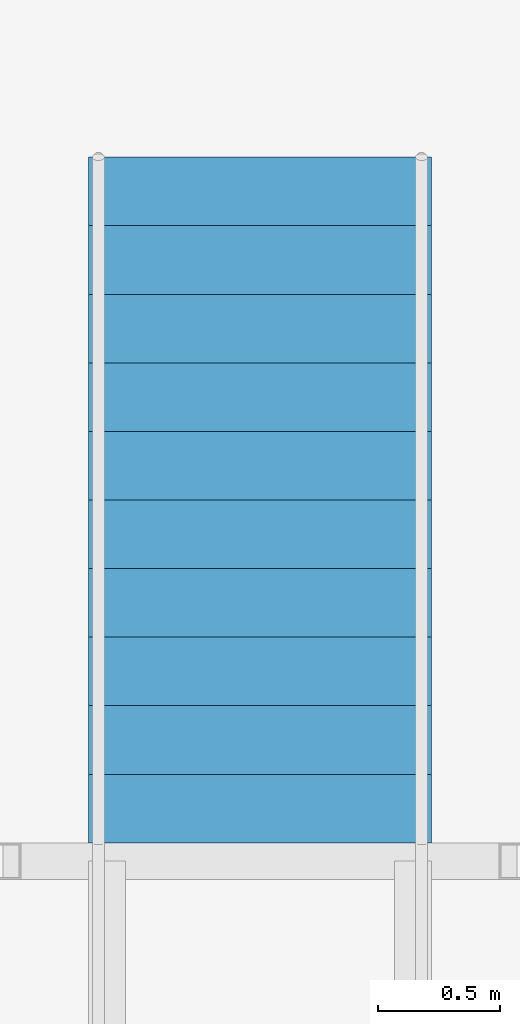
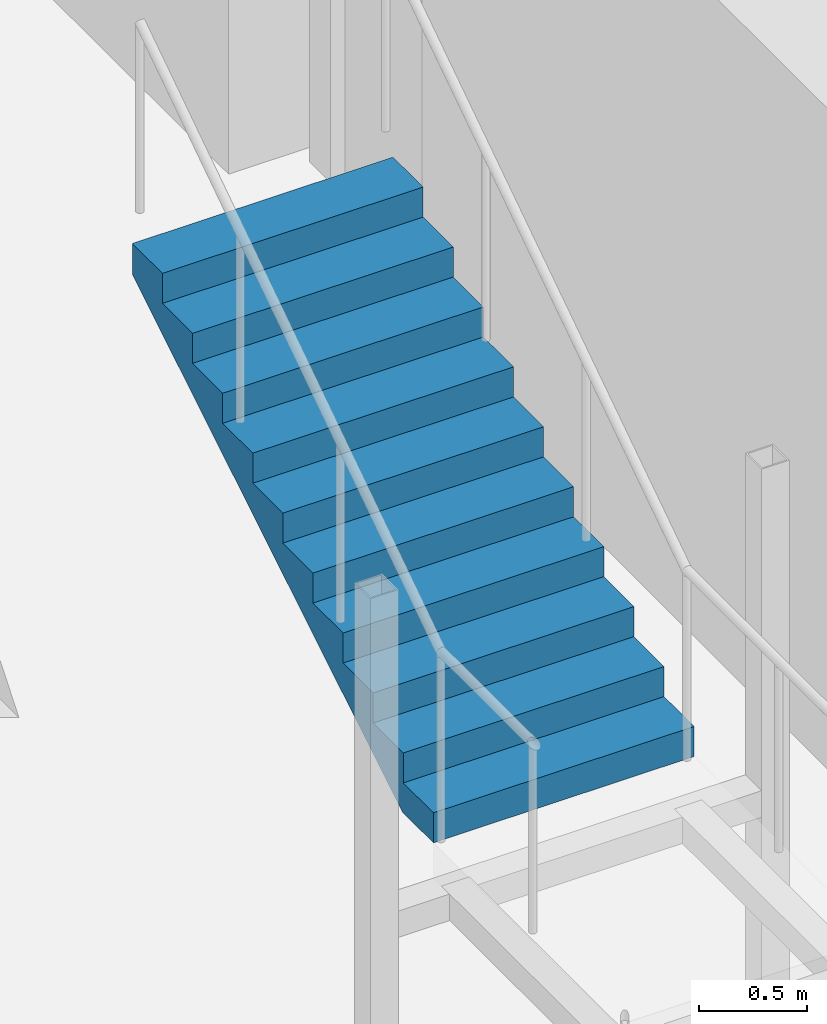
# One storey, part 24 of 25: 1 stair flight, 1 element without a shape of its own.
"""IFC4 building model written with IfcOpenShell, lengths in metres."""

from ifc_helpers import new_model, si_unit, direction, frame, origin, place, context, subcontext, project, spatial, triangles, material, type_object, element, aggregate, save


model = new_model("IFC4")

# Units and contexts
model_context = context("Model", 3, precision=1e-05, world=origin(), true_north=direction((0.0, 1.0)))
body_context = subcontext(model_context, "Body", "Model", "MODEL_VIEW")
ifc_project = project(units=[si_unit("LENGTHUNIT", "METRE"), si_unit("AREAUNIT", "SQUARE_METRE"), si_unit("VOLUMEUNIT", "CUBIC_METRE"), si_unit("PLANEANGLEUNIT", "RADIAN"), si_unit("MASSUNIT", "GRAM", prefix="KILO")], contexts=[model_context])

# Site, building, storey
site_placement = place(None, origin())
site = spatial("IfcSite", under=ifc_project, at=site_placement, CompositionType="ELEMENT")
building_placement = place(site_placement, origin())
building = spatial("IfcBuilding", under=site, at=building_placement, Name="Orbita Commons", CompositionType="ELEMENT")
storey_placement = place(building_placement, frame((0.0, 0.0, 84.39990234375)))
storey = spatial("IfcBuildingStorey", under=building, at=storey_placement, Name="L20", CompositionType="ELEMENT", Elevation=84.39990234375)

# Stair, stair flight
ifc_material_1 = material(Name="Steel ASTM A992 stringers, precast concrete C40/50 terrazzo treads", Category="concrete")
stair_type = type_object("IfcStairType", Name="Feature stair 22 risers 170 x 280 x 1400", PredefinedType="STRAIGHT_RUN_STAIR", material=ifc_material_1)
stair_placement = place(storey_placement, origin())
stair = element("IfcStair", 1, at=stair_placement, inside=storey, type_object=stair_type, Name="Neighbourhood stair L20 to L21", PredefinedType="STRAIGHT_RUN_STAIR")
ifc_material_2 = material(Name="Steel ASTM A992 stringers, precast concrete C40/50 terrazzo treads", Category="concrete")
stair_flight_type = type_object("IfcStairFlightType", Name="Feature stair flight 11 risers 170 x 1400", PredefinedType="STRAIGHT", material=ifc_material_2)
stair_flight_placement = place(storey_placement, frame((9.0, 42.31005859375, 1.875), z_axis=(0.0, 0.0, 1.0), x_axis=(0.0, 1.0, 0.0)))
stair_flight = element("IfcStairFlight", 2, at=stair_flight_placement, type_object=stair_flight_type, Name="FS flight 2", NumberOfRisers=11, NumberOfTreads=10, PredefinedType="STRAIGHT", RiserHeight=0.170454545, TreadLength=0.28, context=body_context, shape_type="Tessellation", body=[
    triangles([(0.0, 0.699951, 0.0), (0.0, 0.699951, 0.021307), (0.0, 0.583293, 0.021307), (0.0, 0.583293, 0.0), (0.0, 0.466634, 0.021307), (0.0, 0.466634, 0.0), (0.0, 0.349976, 0.021307), (0.0, 0.349976, 0.0), (0.0, 0.233317, 0.021307), (0.0, 0.233317, 0.0), (0.0, 0.116659, 0.021307), (0.0, 0.116659, 0.0), (0.0, 0.0, 0.021307), (0.0, 0.0, 0.0), (0.0, -0.116659, 0.021307), (0.0, -0.116659, 0.0), (0.0, -0.233317, 0.021307), (0.0, -0.233317, 0.0), (0.0, -0.349976, 0.021307), (0.0, -0.349976, 0.0), (0.0, -0.466634, 0.021307), (0.0, -0.466634, 0.0), (0.0, -0.583293, 0.021307), (0.0, -0.583293, 0.0), (0.0, -0.699951, 0.021307), (0.0, -0.699951, 0.0), (0.0, 0.699951, 0.042614), (0.0, 0.583293, 0.042614), (0.0, 0.466634, 0.042614), (0.0, 0.349976, 0.042614), (0.0, 0.233317, 0.042614), (0.0, 0.116659, 0.042614), (0.0, 0.0, 0.042614), (0.0, -0.116659, 0.042614), (0.0, -0.233317, 0.042614), (0.0, -0.349976, 0.042614), (0.0, -0.466634, 0.042614), (0.0, -0.583293, 0.042614), (0.0, -0.699951, 0.042614), (0.0, 0.699951, 0.06392), (0.0, 0.583293, 0.06392), (0.0, 0.466634, 0.06392), (0.0, 0.349976, 0.06392), (0.0, 0.233317, 0.06392), (0.0, 0.116659, 0.06392), (0.0, 0.0, 0.06392), (0.0, -0.116659, 0.06392), (0.0, -0.233317, 0.06392), (0.0, -0.349976, 0.06392), (0.0, -0.466634, 0.06392), (0.0, -0.583293, 0.06392), (0.0, -0.699951, 0.06392), (0.0, 0.699951, 0.085227), (0.0, 0.583293, 0.085227), (0.0, 0.466634, 0.085227), (0.0, 0.349976, 0.085227), (0.0, 0.233317, 0.085227), (0.0, 0.116659, 0.085227), (0.0, 0.0, 0.085227), (0.0, -0.116659, 0.085227), (0.0, -0.233317, 0.085227), (0.0, -0.349976, 0.085227), (0.0, -0.466634, 0.085227), (0.0, -0.583293, 0.085227), (0.0, -0.699951, 0.085227), (0.0, 0.699951, 0.106534), (0.0, 0.583293, 0.106534), (0.0, 0.466634, 0.106534), (0.0, 0.349976, 0.106534), (0.0, 0.233317, 0.106534), (0.0, 0.116659, 0.106534), (0.0, 0.0, 0.106534), (0.0, -0.116659, 0.106534), (0.0, -0.233317, 0.106534), (0.0, -0.349976, 0.106534), (0.0, -0.466634, 0.106534), (0.0, -0.583293, 0.106534), (0.0, -0.699951, 0.106534), (0.0, 0.699951, 0.127841), (0.0, 0.583293, 0.127841), (0.0, 0.466634, 0.127841), (0.0, 0.349976, 0.127841), (0.0, 0.233317, 0.127841), (0.0, 0.116659, 0.127841), (0.0, 0.0, 0.127841), (0.0, -0.116659, 0.127841), (0.0, -0.233317, 0.127841), (0.0, -0.349976, 0.127841), (0.0, -0.466634, 0.127841), (0.0, -0.583293, 0.127841), (0.0, -0.699951, 0.127841), (0.0, 0.699951, 0.149148), (0.0, 0.583293, 0.149148), (0.0, 0.466634, 0.149148), (0.0, 0.349976, 0.149148), (0.0, 0.233317, 0.149148), (0.0, 0.116659, 0.149148), (0.0, 0.0, 0.149148), (0.0, -0.116659, 0.149148), (0.0, -0.233317, 0.149148), (0.0, -0.349976, 0.149148), (0.0, -0.466634, 0.149148), (0.0, -0.583293, 0.149148), (0.0, -0.699951, 0.149148), (0.0, 0.699951, 0.170455), (0.0, 0.583293, 0.170455), (0.0, 0.466634, 0.170455), (0.0, 0.349976, 0.170455), (0.0, 0.233317, 0.170455), (0.0, 0.116659, 0.170455), (0.0, 0.0, 0.170455), (0.0, -0.116659, 0.170455), (0.0, -0.233317, 0.170455), (0.0, -0.349976, 0.170455), (0.0, -0.466634, 0.170455), (0.0, -0.583293, 0.170455), (0.0, -0.699951, 0.170455), (0.28, 0.699951, 0.170455), (0.28, 0.583293, 0.170455), (0.28, 0.466634, 0.170455), (0.28, 0.349976, 0.170455), (0.28, 0.233317, 0.170455), (0.28, 0.116659, 0.170455), (0.28, 0.0, 0.170455), (0.28, -0.116659, 0.170455), (0.28, -0.233317, 0.170455), (0.28, -0.349976, 0.170455), (0.28, -0.466634, 0.170455), (0.28, -0.583293, 0.170455), (0.28, -0.699951, 0.170455), (0.28, 0.699951, 0.340909), (0.28, 0.583293, 0.340909), (0.28, 0.466634, 0.340909), (0.28, 0.349976, 0.340909), (0.28, 0.233317, 0.340909), (0.28, 0.116659, 0.340909), (0.28, 0.0, 0.340909), (0.28, -0.116659, 0.340909), (0.28, -0.233317, 0.340909), (0.28, -0.349976, 0.340909), (0.28, -0.466634, 0.340909), (0.28, -0.583293, 0.340909), (0.28, -0.699951, 0.340909), (0.56, 0.699951, 0.340909), (0.56, 0.583293, 0.340909), (0.56, 0.466634, 0.340909), (0.56, 0.349976, 0.340909), (0.56, 0.233317, 0.340909), (0.56, 0.116659, 0.340909), (0.56, 0.0, 0.340909), (0.56, -0.116659, 0.340909), (0.56, -0.233317, 0.340909), (0.56, -0.349976, 0.340909), (0.56, -0.466634, 0.340909), (0.56, -0.583293, 0.340909), (0.56, -0.699951, 0.340909), (0.56, 0.699951, 0.511364), (0.56, 0.583293, 0.511364), (0.56, 0.466634, 0.511364), (0.56, 0.349976, 0.511364), (0.56, 0.233317, 0.511364), (0.56, 0.116659, 0.511364), (0.56, 0.0, 0.511364), (0.56, -0.116659, 0.511364), (0.56, -0.233317, 0.511364), (0.56, -0.349976, 0.511364), (0.56, -0.466634, 0.511364), (0.56, -0.583293, 0.511364), (0.56, -0.699951, 0.511364), (0.84, 0.699951, 0.511364), (0.84, 0.583293, 0.511364), (0.84, 0.466634, 0.511364), (0.84, 0.349976, 0.511364), (0.84, 0.233317, 0.511364), (0.84, 0.116659, 0.511364), (0.84, 0.0, 0.511364), (0.84, -0.116659, 0.511364), (0.84, -0.233317, 0.511364), (0.84, -0.349976, 0.511364), (0.84, -0.466634, 0.511364), (0.84, -0.583293, 0.511364), (0.84, -0.699951, 0.511364), (0.84, 0.699951, 0.681818), (0.84, 0.583293, 0.681818), (0.84, 0.466634, 0.681818), (0.84, 0.349976, 0.681818), (0.84, 0.233317, 0.681818), (0.84, 0.116659, 0.681818), (0.84, 0.0, 0.681818), (0.84, -0.116659, 0.681818), (0.84, -0.233317, 0.681818), (0.84, -0.349976, 0.681818), (0.84, -0.466634, 0.681818), (0.84, -0.583293, 0.681818), (0.84, -0.699951, 0.681818), (1.12, 0.699951, 0.681818), (1.12, 0.583293, 0.681818), (1.12, 0.466634, 0.681818), (1.12, 0.349976, 0.681818), (1.12, 0.233317, 0.681818), (1.12, 0.116659, 0.681818), (1.12, 0.0, 0.681818), (1.12, -0.116659, 0.681818), (1.12, -0.233317, 0.681818), (1.12, -0.349976, 0.681818), (1.12, -0.466634, 0.681818), (1.12, -0.583293, 0.681818), (1.12, -0.699951, 0.681818), (1.12, 0.699951, 0.852273), (1.12, 0.583293, 0.852273), (1.12, 0.466634, 0.852273), (1.12, 0.349976, 0.852273), (1.12, 0.233317, 0.852273), (1.12, 0.116659, 0.852273), (1.12, 0.0, 0.852273), (1.12, -0.116659, 0.852273), (1.12, -0.233317, 0.852273), (1.12, -0.349976, 0.852273), (1.12, -0.466634, 0.852273), (1.12, -0.583293, 0.852273), (1.12, -0.699951, 0.852273), (1.4, 0.699951, 0.852273), (1.4, 0.583293, 0.852273), (1.4, 0.466634, 0.852273), (1.4, 0.349976, 0.852273), (1.4, 0.233317, 0.852273), (1.4, 0.116659, 0.852273), (1.4, 0.0, 0.852273), (1.4, -0.116659, 0.852273), (1.4, -0.233317, 0.852273), (1.4, -0.349976, 0.852273), (1.4, -0.466634, 0.852273), (1.4, -0.583293, 0.852273), (1.4, -0.699951, 0.852273), (1.4, 0.699951, 1.022727), (1.4, 0.583293, 1.022727), (1.4, 0.466634, 1.022727), (1.4, 0.349976, 1.022727), (1.4, 0.233317, 1.022727), (1.4, 0.116659, 1.022727), (1.4, 0.0, 1.022727), (1.4, -0.116659, 1.022727), (1.4, -0.233317, 1.022727), (1.4, -0.349976, 1.022727), (1.4, -0.466634, 1.022727), (1.4, -0.583293, 1.022727), (1.4, -0.699951, 1.022727), (1.68, 0.699951, 1.022727), (1.68, 0.583293, 1.022727), (1.68, 0.466634, 1.022727), (1.68, 0.349976, 1.022727), (1.68, 0.233317, 1.022727), (1.68, 0.116659, 1.022727), (1.68, 0.0, 1.022727), (1.68, -0.116659, 1.022727), (1.68, -0.233317, 1.022727), (1.68, -0.349976, 1.022727), (1.68, -0.466634, 1.022727), (1.68, -0.583293, 1.022727), (1.68, -0.699951, 1.022727), (1.68, 0.699951, 1.193182), (1.68, 0.583293, 1.193182), (1.68, 0.466634, 1.193182), (1.68, 0.349976, 1.193182), (1.68, 0.233317, 1.193182), (1.68, 0.116659, 1.193182), (1.68, 0.0, 1.193182), (1.68, -0.116659, 1.193182), (1.68, -0.233317, 1.193182), (1.68, -0.349976, 1.193182), (1.68, -0.466634, 1.193182), (1.68, -0.583293, 1.193182), (1.68, -0.699951, 1.193182), (1.96, 0.699951, 1.193182), (1.96, 0.583293, 1.193182), (1.96, 0.466634, 1.193182), (1.96, 0.349976, 1.193182), (1.96, 0.233317, 1.193182), (1.96, 0.116659, 1.193182), (1.96, 0.0, 1.193182), (1.96, -0.116659, 1.193182), (1.96, -0.233317, 1.193182), (1.96, -0.349976, 1.193182), (1.96, -0.466634, 1.193182), (1.96, -0.583293, 1.193182), (1.96, -0.699951, 1.193182), (1.96, 0.699951, 1.363636), (1.96, 0.583293, 1.363636), (1.96, 0.466634, 1.363636), (1.96, 0.349976, 1.363636), (1.96, 0.233317, 1.363636), (1.96, 0.116659, 1.363636), (1.96, 0.0, 1.363636), (1.96, -0.116659, 1.363636), (1.96, -0.233317, 1.363636), (1.96, -0.349976, 1.363636), (1.96, -0.466634, 1.363636), (1.96, -0.583293, 1.363636), (1.96, -0.699951, 1.363636), (2.24, 0.699951, 1.363636), (2.24, 0.583293, 1.363636), (2.24, 0.466634, 1.363636), (2.24, 0.349976, 1.363636), (2.24, 0.233317, 1.363636), (2.24, 0.116659, 1.363636), (2.24, 0.0, 1.363636), (2.24, -0.116659, 1.363636), (2.24, -0.233317, 1.363636), (2.24, -0.349976, 1.363636), (2.24, -0.466634, 1.363636), (2.24, -0.583293, 1.363636), (2.24, -0.699951, 1.363636), (2.24, 0.699951, 1.534091), (2.24, 0.583293, 1.534091), (2.24, 0.466634, 1.534091), (2.24, 0.349976, 1.534091), (2.24, 0.233317, 1.534091), (2.24, 0.116659, 1.534091), (2.24, 0.0, 1.534091), (2.24, -0.116659, 1.534091), (2.24, -0.233317, 1.534091), (2.24, -0.349976, 1.534091), (2.24, -0.466634, 1.534091), (2.24, -0.583293, 1.534091), (2.24, -0.699951, 1.534091), (2.52, 0.699951, 1.534091), (2.52, 0.583293, 1.534091), (2.52, 0.466634, 1.534091), (2.52, 0.349976, 1.534091), (2.52, 0.233317, 1.534091), (2.52, 0.116659, 1.534091), (2.52, 0.0, 1.534091), (2.52, -0.116659, 1.534091), (2.52, -0.233317, 1.534091), (2.52, -0.349976, 1.534091), (2.52, -0.466634, 1.534091), (2.52, -0.583293, 1.534091), (2.52, -0.699951, 1.534091), (2.52, 0.699951, 1.704545), (2.52, 0.583293, 1.704545), (2.52, 0.466634, 1.704545), (2.52, 0.349976, 1.704545), (2.52, 0.233317, 1.704545), (2.52, 0.116659, 1.704545), (2.52, 0.0, 1.704545), (2.52, -0.116659, 1.704545), (2.52, -0.233317, 1.704545), (2.52, -0.349976, 1.704545), (2.52, -0.466634, 1.704545), (2.52, -0.583293, 1.704545), (2.52, -0.699951, 1.704545), (2.8, 0.699951, 1.704545), (2.8, 0.583293, 1.704545), (2.8, 0.466634, 1.704545), (2.8, 0.349976, 1.704545), (2.8, 0.233317, 1.704545), (2.8, 0.116659, 1.704545), (2.8, 0.0, 1.704545), (2.8, -0.116659, 1.704545), (2.8, -0.233317, 1.704545), (2.8, -0.349976, 1.704545), (2.8, -0.466634, 1.704545), (2.8, -0.583293, 1.704545), (2.8, -0.699951, 1.704545), (2.8, 0.699951, 1.682609), (2.8, 0.583293, 1.682609), (2.8, 0.466634, 1.682609), (2.8, 0.349976, 1.682609), (2.8, 0.233317, 1.682609), (2.8, 0.116659, 1.682609), (2.8, 0.0, 1.682609), (2.8, -0.116659, 1.682609), (2.8, -0.233317, 1.682609), (2.8, -0.349976, 1.682609), (2.8, -0.466634, 1.682609), (2.8, -0.583293, 1.682609), (2.8, -0.699951, 1.682609), (2.8, 0.699951, 1.660672), (2.8, 0.583293, 1.660672), (2.8, 0.466634, 1.660672), (2.8, 0.349976, 1.660672), (2.8, 0.233317, 1.660672), (2.8, 0.116659, 1.660672), (2.8, 0.0, 1.660672), (2.8, -0.116659, 1.660672), (2.8, -0.233317, 1.660672), (2.8, -0.349976, 1.660672), (2.8, -0.466634, 1.660672), (2.8, -0.583293, 1.660672), (2.8, -0.699951, 1.660672), (2.8, 0.699951, 1.638735), (2.8, 0.583293, 1.638735), (2.8, 0.466634, 1.638735), (2.8, 0.349976, 1.638735), (2.8, 0.233317, 1.638735), (2.8, 0.116659, 1.638735), (2.8, 0.0, 1.638735), (2.8, -0.116659, 1.638735), (2.8, -0.233317, 1.638735), (2.8, -0.349976, 1.638735), (2.8, -0.466634, 1.638735), (2.8, -0.583293, 1.638735), (2.8, -0.699951, 1.638735), (2.8, 0.699951, 1.616798), (2.8, 0.583293, 1.616798), (2.8, 0.466634, 1.616798), (2.8, 0.349976, 1.616798), (2.8, 0.233317, 1.616798), (2.8, 0.116659, 1.616798), (2.8, 0.0, 1.616798), (2.8, -0.116659, 1.616798), (2.8, -0.233317, 1.616798), (2.8, -0.349976, 1.616798), (2.8, -0.466634, 1.616798), (2.8, -0.583293, 1.616798), (2.8, -0.699951, 1.616798), (2.8, 0.699951, 1.594861), (2.8, 0.583293, 1.594861), (2.8, 0.466634, 1.594861), (2.8, 0.349976, 1.594861), (2.8, 0.233317, 1.594861), (2.8, 0.116659, 1.594861), (2.8, 0.0, 1.594861), (2.8, -0.116659, 1.594861), (2.8, -0.233317, 1.594861), (2.8, -0.349976, 1.594861), (2.8, -0.466634, 1.594861), (2.8, -0.583293, 1.594861), (2.8, -0.699951, 1.594861), (2.8, 0.699951, 1.572925), (2.8, 0.583293, 1.572925), (2.8, 0.466634, 1.572925), (2.8, 0.349976, 1.572925), (2.8, 0.233317, 1.572925), (2.8, 0.116659, 1.572925), (2.8, 0.0, 1.572925), (2.8, -0.116659, 1.572925), (2.8, -0.233317, 1.572925), (2.8, -0.349976, 1.572925), (2.8, -0.466634, 1.572925), (2.8, -0.583293, 1.572925), (2.8, -0.699951, 1.572925), (2.8, 0.699951, 1.550988), (2.8, 0.583293, 1.550988), (2.8, 0.466634, 1.550988), (2.8, 0.349976, 1.550988), (2.8, 0.233317, 1.550988), (2.8, 0.116659, 1.550988), (2.8, 0.0, 1.550988), (2.8, -0.116659, 1.550988), (2.8, -0.233317, 1.550988), (2.8, -0.349976, 1.550988), (2.8, -0.466634, 1.550988), (2.8, -0.583293, 1.550988), (2.8, -0.699951, 1.550988), (2.8, 0.699951, 1.529051), (2.8, 0.583293, 1.529051), (2.8, 0.466634, 1.529051), (2.8, 0.349976, 1.529051), (2.8, 0.233317, 1.529051), (2.8, 0.116659, 1.529051), (2.8, 0.0, 1.529051), (2.8, -0.116659, 1.529051), (2.8, -0.233317, 1.529051), (2.8, -0.349976, 1.529051), (2.8, -0.466634, 1.529051), (2.8, -0.583293, 1.529051), (2.8, -0.699951, 1.529051), (0.288279, 0.699951, 0.0), (0.288279, 0.583293, 0.0), (0.288279, 0.466634, 0.0), (0.288279, 0.349976, 0.0), (0.288279, 0.233317, 0.0), (0.288279, 0.116659, 0.0), (0.288279, 0.0, 0.0), (0.288279, -0.116659, 0.0), (0.288279, -0.233317, 0.0), (0.288279, -0.349976, 0.0), (0.288279, -0.466634, 0.0), (0.288279, -0.583293, 0.0), (0.288279, -0.699951, 0.0)], [[3, 2, 1], [4, 3, 1], [5, 3, 4], [6, 5, 4], [7, 5, 6], [8, 7, 6], [9, 7, 8], [10, 9, 8], [11, 9, 10], [12, 11, 10], [13, 11, 12], [14, 13, 12], [15, 13, 14], [16, 15, 14], [17, 15, 16], [18, 17, 16], [19, 17, 18], [20, 19, 18], [21, 19, 20], [22, 21, 20], [23, 21, 22], [24, 23, 22], [25, 23, 24], [26, 25, 24], [28, 27, 2], [3, 28, 2], [29, 28, 3], [5, 29, 3], [30, 29, 5], [7, 30, 5], [31, 30, 7], [9, 31, 7], [32, 31, 9], [11, 32, 9], [33, 32, 11], [13, 33, 11], [34, 33, 13], [15, 34, 13], [35, 34, 15], [17, 35, 15], [36, 35, 17], [19, 36, 17], [37, 36, 19], [21, 37, 19], [38, 37, 21], [23, 38, 21], [39, 38, 23], [25, 39, 23], [41, 40, 27], [28, 41, 27], [42, 41, 28], [29, 42, 28], [43, 42, 29], [30, 43, 29], [44, 43, 30], [31, 44, 30], [45, 44, 31], [32, 45, 31], [46, 45, 32], [33, 46, 32], [47, 46, 33], [34, 47, 33], [48, 47, 34], [35, 48, 34], [49, 48, 35], [36, 49, 35], [50, 49, 36], [37, 50, 36], [51, 50, 37], [38, 51, 37], [52, 51, 38], [39, 52, 38], [54, 53, 40], [41, 54, 40], [55, 54, 41], [42, 55, 41], [56, 55, 42], [43, 56, 42], [57, 56, 43], [44, 57, 43], [58, 57, 44], [45, 58, 44], [59, 58, 45], [46, 59, 45], [60, 59, 46], [47, 60, 46], [61, 60, 47], [48, 61, 47], [62, 61, 48], [49, 62, 48], [63, 62, 49], [50, 63, 49], [64, 63, 50], [51, 64, 50], [65, 64, 51], [52, 65, 51], [67, 66, 53], [54, 67, 53], [68, 67, 54], [55, 68, 54], [69, 68, 55], [56, 69, 55], [70, 69, 56], [57, 70, 56], [71, 70, 57], [58, 71, 57], [72, 71, 58], [59, 72, 58], [73, 72, 59], [60, 73, 59], [74, 73, 60], [61, 74, 60], [75, 74, 61], [62, 75, 61], [76, 75, 62], [63, 76, 62], [77, 76, 63], [64, 77, 63], [78, 77, 64], [65, 78, 64], [80, 79, 66], [67, 80, 66], [81, 80, 67], [68, 81, 67], [82, 81, 68], [69, 82, 68], [83, 82, 69], [70, 83, 69], [84, 83, 70], [71, 84, 70], [85, 84, 71], [72, 85, 71], [86, 85, 72], [73, 86, 72], [87, 86, 73], [74, 87, 73], [88, 87, 74], [75, 88, 74], [89, 88, 75], [76, 89, 75], [90, 89, 76], [77, 90, 76], [91, 90, 77], [78, 91, 77], [93, 92, 79], [80, 93, 79], [94, 93, 80], [81, 94, 80], [95, 94, 81], [82, 95, 81], [96, 95, 82], [83, 96, 82], [97, 96, 83], [84, 97, 83], [98, 97, 84], [85, 98, 84], [99, 98, 85], [86, 99, 85], [100, 99, 86], [87, 100, 86], [101, 100, 87], [88, 101, 87], [102, 101, 88], [89, 102, 88], [103, 102, 89], [90, 103, 89], [104, 103, 90], [91, 104, 90], [106, 105, 92], [93, 106, 92], [107, 106, 93], [94, 107, 93], [108, 107, 94], [95, 108, 94], [109, 108, 95], [96, 109, 95], [110, 109, 96], [97, 110, 96], [111, 110, 97], [98, 111, 97], [112, 111, 98], [99, 112, 98], [113, 112, 99], [100, 113, 99], [114, 113, 100], [101, 114, 100], [115, 114, 101], [102, 115, 101], [116, 115, 102], [103, 116, 102], [117, 116, 103], [104, 117, 103], [119, 118, 105], [106, 119, 105], [120, 119, 106], [107, 120, 106], [121, 120, 107], [108, 121, 107], [122, 121, 108], [109, 122, 108], [123, 122, 109], [110, 123, 109], [124, 123, 110], [111, 124, 110], [125, 124, 111], [112, 125, 111], [126, 125, 112], [113, 126, 112], [127, 126, 113], [114, 127, 113], [128, 127, 114], [115, 128, 114], [129, 128, 115], [116, 129, 115], [130, 129, 116], [117, 130, 116], [132, 131, 118], [119, 132, 118], [133, 132, 119], [120, 133, 119], [134, 133, 120], [121, 134, 120], [135, 134, 121], [122, 135, 121], [136, 135, 122], [123, 136, 122], [137, 136, 123], [124, 137, 123], [138, 137, 124], [125, 138, 124], [139, 138, 125], [126, 139, 125], [140, 139, 126], [127, 140, 126], [141, 140, 127], [128, 141, 127], [142, 141, 128], [129, 142, 128], [143, 142, 129], [130, 143, 129], [145, 144, 131], [132, 145, 131], [146, 145, 132], [133, 146, 132], [147, 146, 133], [134, 147, 133], [148, 147, 134], [135, 148, 134], [149, 148, 135], [136, 149, 135], [150, 149, 136], [137, 150, 136], [151, 150, 137], [138, 151, 137], [152, 151, 138], [139, 152, 138], [153, 152, 139], [140, 153, 139], [154, 153, 140], [141, 154, 140], [155, 154, 141], [142, 155, 141], [156, 155, 142], [143, 156, 142], [158, 157, 144], [145, 158, 144], [159, 158, 145], [146, 159, 145], [160, 159, 146], [147, 160, 146], [161, 160, 147], [148, 161, 147], [162, 161, 148], [149, 162, 148], [163, 162, 149], [150, 163, 149], [164, 163, 150], [151, 164, 150], [165, 164, 151], [152, 165, 151], [166, 165, 152], [153, 166, 152], [167, 166, 153], [154, 167, 153], [168, 167, 154], [155, 168, 154], [169, 168, 155], [156, 169, 155], [171, 170, 157], [158, 171, 157], [172, 171, 158], [159, 172, 158], [173, 172, 159], [160, 173, 159], [174, 173, 160], [161, 174, 160], [175, 174, 161], [162, 175, 161], [176, 175, 162], [163, 176, 162], [177, 176, 163], [164, 177, 163], [178, 177, 164], [165, 178, 164], [179, 178, 165], [166, 179, 165], [180, 179, 166], [167, 180, 166], [181, 180, 167], [168, 181, 167], [182, 181, 168], [169, 182, 168], [184, 183, 170], [171, 184, 170], [185, 184, 171], [172, 185, 171], [186, 185, 172], [173, 186, 172], [187, 186, 173], [174, 187, 173], [188, 187, 174], [175, 188, 174], [189, 188, 175], [176, 189, 175], [190, 189, 176], [177, 190, 176], [191, 190, 177], [178, 191, 177], [192, 191, 178], [179, 192, 178], [193, 192, 179], [180, 193, 179], [194, 193, 180], [181, 194, 180], [195, 194, 181], [182, 195, 181], [197, 196, 183], [184, 197, 183], [198, 197, 184], [185, 198, 184], [199, 198, 185], [186, 199, 185], [200, 199, 186], [187, 200, 186], [201, 200, 187], [188, 201, 187], [202, 201, 188], [189, 202, 188], [203, 202, 189], [190, 203, 189], [204, 203, 190], [191, 204, 190], [205, 204, 191], [192, 205, 191], [206, 205, 192], [193, 206, 192], [207, 206, 193], [194, 207, 193], [208, 207, 194], [195, 208, 194], [210, 209, 196], [197, 210, 196], [211, 210, 197], [198, 211, 197], [212, 211, 198], [199, 212, 198], [213, 212, 199], [200, 213, 199], [214, 213, 200], [201, 214, 200], [215, 214, 201], [202, 215, 201], [216, 215, 202], [203, 216, 202], [217, 216, 203], [204, 217, 203], [218, 217, 204], [205, 218, 204], [219, 218, 205], [206, 219, 205], [220, 219, 206], [207, 220, 206], [221, 220, 207], [208, 221, 207], [223, 222, 209], [210, 223, 209], [224, 223, 210], [211, 224, 210], [225, 224, 211], [212, 225, 211], [226, 225, 212], [213, 226, 212], [227, 226, 213], [214, 227, 213], [228, 227, 214], [215, 228, 214], [229, 228, 215], [216, 229, 215], [230, 229, 216], [217, 230, 216], [231, 230, 217], [218, 231, 217], [232, 231, 218], [219, 232, 218], [233, 232, 219], [220, 233, 219], [234, 233, 220], [221, 234, 220], [236, 235, 222], [223, 236, 222], [237, 236, 223], [224, 237, 223], [238, 237, 224], [225, 238, 224], [239, 238, 225], [226, 239, 225], [240, 239, 226], [227, 240, 226], [241, 240, 227], [228, 241, 227], [242, 241, 228], [229, 242, 228], [243, 242, 229], [230, 243, 229], [244, 243, 230], [231, 244, 230], [245, 244, 231], [232, 245, 231], [246, 245, 232], [233, 246, 232], [247, 246, 233], [234, 247, 233], [249, 248, 235], [236, 249, 235], [250, 249, 236], [237, 250, 236], [251, 250, 237], [238, 251, 237], [252, 251, 238], [239, 252, 238], [253, 252, 239], [240, 253, 239], [254, 253, 240], [241, 254, 240], [255, 254, 241], [242, 255, 241], [256, 255, 242], [243, 256, 242], [257, 256, 243], [244, 257, 243], [258, 257, 244], [245, 258, 244], [259, 258, 245], [246, 259, 245], [260, 259, 246], [247, 260, 246], [262, 261, 248], [249, 262, 248], [263, 262, 249], [250, 263, 249], [264, 263, 250], [251, 264, 250], [265, 264, 251], [252, 265, 251], [266, 265, 252], [253, 266, 252], [267, 266, 253], [254, 267, 253], [268, 267, 254], [255, 268, 254], [269, 268, 255], [256, 269, 255], [270, 269, 256], [257, 270, 256], [271, 270, 257], [258, 271, 257], [272, 271, 258], [259, 272, 258], [273, 272, 259], [260, 273, 259], [275, 274, 261], [262, 275, 261], [276, 275, 262], [263, 276, 262], [277, 276, 263], [264, 277, 263], [278, 277, 264], [265, 278, 264], [279, 278, 265], [266, 279, 265], [280, 279, 266], [267, 280, 266], [281, 280, 267], [268, 281, 267], [282, 281, 268], [269, 282, 268], [283, 282, 269], [270, 283, 269], [284, 283, 270], [271, 284, 270], [285, 284, 271], [272, 285, 271], [286, 285, 272], [273, 286, 272], [288, 287, 274], [275, 288, 274], [289, 288, 275], [276, 289, 275], [290, 289, 276], [277, 290, 276], [291, 290, 277], [278, 291, 277], [292, 291, 278], [279, 292, 278], [293, 292, 279], [280, 293, 279], [294, 293, 280], [281, 294, 280], [295, 294, 281], [282, 295, 281], [296, 295, 282], [283, 296, 282], [297, 296, 283], [284, 297, 283], [298, 297, 284], [285, 298, 284], [299, 298, 285], [286, 299, 285], [301, 300, 287], [288, 301, 287], [302, 301, 288], [289, 302, 288], [303, 302, 289], [290, 303, 289], [304, 303, 290], [291, 304, 290], [305, 304, 291], [292, 305, 291], [306, 305, 292], [293, 306, 292], [307, 306, 293], [294, 307, 293], [308, 307, 294], [295, 308, 294], [309, 308, 295], [296, 309, 295], [310, 309, 296], [297, 310, 296], [311, 310, 297], [298, 311, 297], [312, 311, 298], [299, 312, 298], [314, 313, 300], [301, 314, 300], [315, 314, 301], [302, 315, 301], [316, 315, 302], [303, 316, 302], [317, 316, 303], [304, 317, 303], [318, 317, 304], [305, 318, 304], [319, 318, 305], [306, 319, 305], [320, 319, 306], [307, 320, 306], [321, 320, 307], [308, 321, 307], [322, 321, 308], [309, 322, 308], [323, 322, 309], [310, 323, 309], [324, 323, 310], [311, 324, 310], [325, 324, 311], [312, 325, 311], [327, 326, 313], [314, 327, 313], [328, 327, 314], [315, 328, 314], [329, 328, 315], [316, 329, 315], [330, 329, 316], [317, 330, 316], [331, 330, 317], [318, 331, 317], [332, 331, 318], [319, 332, 318], [333, 332, 319], [320, 333, 319], [334, 333, 320], [321, 334, 320], [335, 334, 321], [322, 335, 321], [336, 335, 322], [323, 336, 322], [337, 336, 323], [324, 337, 323], [338, 337, 324], [325, 338, 324], [340, 339, 326], [327, 340, 326], [341, 340, 327], [328, 341, 327], [342, 341, 328], [329, 342, 328], [343, 342, 329], [330, 343, 329], [344, 343, 330], [331, 344, 330], [345, 344, 331], [332, 345, 331], [346, 345, 332], [333, 346, 332], [347, 346, 333], [334, 347, 333], [348, 347, 334], [335, 348, 334], [349, 348, 335], [336, 349, 335], [350, 349, 336], [337, 350, 336], [351, 350, 337], [338, 351, 337], [353, 352, 339], [340, 353, 339], [354, 353, 340], [341, 354, 340], [355, 354, 341], [342, 355, 341], [356, 355, 342], [343, 356, 342], [357, 356, 343], [344, 357, 343], [358, 357, 344], [345, 358, 344], [359, 358, 345], [346, 359, 345], [360, 359, 346], [347, 360, 346], [361, 360, 347], [348, 361, 347], [362, 361, 348], [349, 362, 348], [363, 362, 349], [350, 363, 349], [364, 363, 350], [351, 364, 350], [366, 365, 352], [353, 366, 352], [367, 366, 353], [354, 367, 353], [368, 367, 354], [355, 368, 354], [369, 368, 355], [356, 369, 355], [370, 369, 356], [357, 370, 356], [371, 370, 357], [358, 371, 357], [372, 371, 358], [359, 372, 358], [373, 372, 359], [360, 373, 359], [374, 373, 360], [361, 374, 360], [375, 374, 361], [362, 375, 361], [376, 375, 362], [363, 376, 362], [377, 376, 363], [364, 377, 363], [379, 378, 365], [366, 379, 365], [380, 379, 366], [367, 380, 366], [381, 380, 367], [368, 381, 367], [382, 381, 368], [369, 382, 368], [383, 382, 369], [370, 383, 369], [384, 383, 370], [371, 384, 370], [385, 384, 371], [372, 385, 371], [386, 385, 372], [373, 386, 372], [387, 386, 373], [374, 387, 373], [388, 387, 374], [375, 388, 374], [389, 388, 375], [376, 389, 375], [390, 389, 376], [377, 390, 376], [392, 391, 378], [379, 392, 378], [393, 392, 379], [380, 393, 379], [394, 393, 380], [381, 394, 380], [395, 394, 381], [382, 395, 381], [396, 395, 382], [383, 396, 382], [397, 396, 383], [384, 397, 383], [398, 397, 384], [385, 398, 384], [399, 398, 385], [386, 399, 385], [400, 399, 386], [387, 400, 386], [401, 400, 387], [388, 401, 387], [402, 401, 388], [389, 402, 388], [403, 402, 389], [390, 403, 389], [405, 404, 391], [392, 405, 391], [406, 405, 392], [393, 406, 392], [407, 406, 393], [394, 407, 393], [408, 407, 394], [395, 408, 394], [409, 408, 395], [396, 409, 395], [410, 409, 396], [397, 410, 396], [411, 410, 397], [398, 411, 397], [412, 411, 398], [399, 412, 398], [413, 412, 399], [400, 413, 399], [414, 413, 400], [401, 414, 400], [415, 414, 401], [402, 415, 401], [416, 415, 402], [403, 416, 402], [418, 417, 404], [405, 418, 404], [419, 418, 405], [406, 419, 405], [420, 419, 406], [407, 420, 406], [421, 420, 407], [408, 421, 407], [422, 421, 408], [409, 422, 408], [423, 422, 409], [410, 423, 409], [424, 423, 410], [411, 424, 410], [425, 424, 411], [412, 425, 411], [426, 425, 412], [413, 426, 412], [427, 426, 413], [414, 427, 413], [428, 427, 414], [415, 428, 414], [429, 428, 415], [416, 429, 415], [431, 430, 417], [418, 431, 417], [432, 431, 418], [419, 432, 418], [433, 432, 419], [420, 433, 419], [434, 433, 420], [421, 434, 420], [435, 434, 421], [422, 435, 421], [436, 435, 422], [423, 436, 422], [437, 436, 423], [424, 437, 423], [438, 437, 424], [425, 438, 424], [439, 438, 425], [426, 439, 425], [440, 439, 426], [427, 440, 426], [441, 440, 427], [428, 441, 427], [442, 441, 428], [429, 442, 428], [444, 443, 430], [431, 444, 430], [445, 444, 431], [432, 445, 431], [446, 445, 432], [433, 446, 432], [447, 446, 433], [434, 447, 433], [448, 447, 434], [435, 448, 434], [449, 448, 435], [436, 449, 435], [450, 449, 436], [437, 450, 436], [451, 450, 437], [438, 451, 437], [452, 451, 438], [439, 452, 438], [453, 452, 439], [440, 453, 439], [454, 453, 440], [441, 454, 440], [455, 454, 441], [442, 455, 441], [457, 456, 443], [444, 457, 443], [458, 457, 444], [445, 458, 444], [459, 458, 445], [446, 459, 445], [460, 459, 446], [447, 460, 446], [461, 460, 447], [448, 461, 447], [462, 461, 448], [449, 462, 448], [463, 462, 449], [450, 463, 449], [464, 463, 450], [451, 464, 450], [465, 464, 451], [452, 465, 451], [466, 465, 452], [453, 466, 452], [467, 466, 453], [454, 467, 453], [468, 467, 454], [455, 468, 454], [470, 469, 456], [457, 470, 456], [471, 470, 457], [458, 471, 457], [472, 471, 458], [459, 472, 458], [473, 472, 459], [460, 473, 459], [474, 473, 460], [461, 474, 460], [475, 474, 461], [462, 475, 461], [476, 475, 462], [463, 476, 462], [477, 476, 463], [464, 477, 463], [478, 477, 464], [465, 478, 464], [479, 478, 465], [466, 479, 465], [480, 479, 466], [467, 480, 466], [481, 480, 467], [468, 481, 467], [4, 1, 469], [470, 4, 469], [6, 4, 470], [471, 6, 470], [8, 6, 471], [472, 8, 471], [10, 8, 472], [473, 10, 472], [12, 10, 473], [474, 12, 473], [14, 12, 474], [475, 14, 474], [16, 14, 475], [476, 16, 475], [18, 16, 476], [477, 18, 476], [20, 18, 477], [478, 20, 477], [22, 20, 478], [479, 22, 478], [24, 22, 479], [480, 24, 479], [26, 24, 480], [481, 26, 480], [456, 469, 1], [26, 481, 468], [443, 456, 1], [26, 468, 455], [430, 443, 1], [26, 455, 442], [417, 430, 1], [26, 442, 429], [404, 417, 1], [26, 429, 416], [391, 404, 1], [26, 416, 403], [378, 391, 1], [26, 403, 390], [365, 378, 1], [26, 390, 377], [339, 352, 365], [377, 364, 351], [326, 339, 365], [377, 351, 338], [300, 313, 326], [338, 325, 312], [300, 326, 365], [377, 338, 312], [274, 287, 300], [312, 299, 286], [274, 300, 365], [377, 312, 286], [248, 261, 274], [286, 273, 260], [248, 274, 365], [377, 286, 260], [222, 235, 248], [260, 247, 234], [222, 248, 365], [377, 260, 234], [196, 209, 222], [234, 221, 208], [196, 222, 365], [377, 234, 208], [170, 183, 196], [208, 195, 182], [170, 196, 365], [377, 208, 182], [144, 157, 170], [182, 169, 156], [144, 170, 365], [377, 182, 156], [118, 131, 144], [156, 143, 130], [118, 144, 365], [377, 156, 130], [118, 365, 1], [26, 377, 130], [92, 105, 118], [130, 117, 104], [79, 92, 118], [130, 104, 91], [66, 79, 118], [130, 91, 78], [53, 66, 118], [130, 78, 65], [40, 53, 118], [130, 65, 52], [27, 40, 118], [130, 52, 39], [2, 27, 118], [130, 39, 25], [1, 2, 118], [130, 25, 26]], closed=True),
])
aggregate(stair, [stair_flight])

save(model, "model.ifc")
